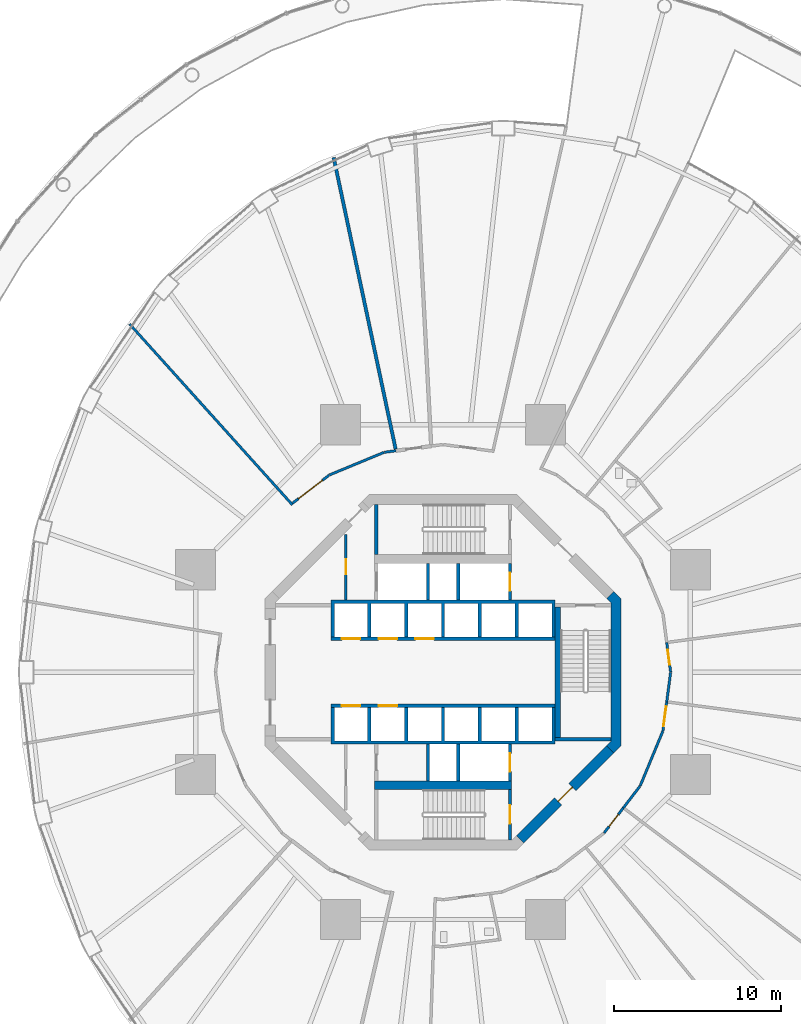
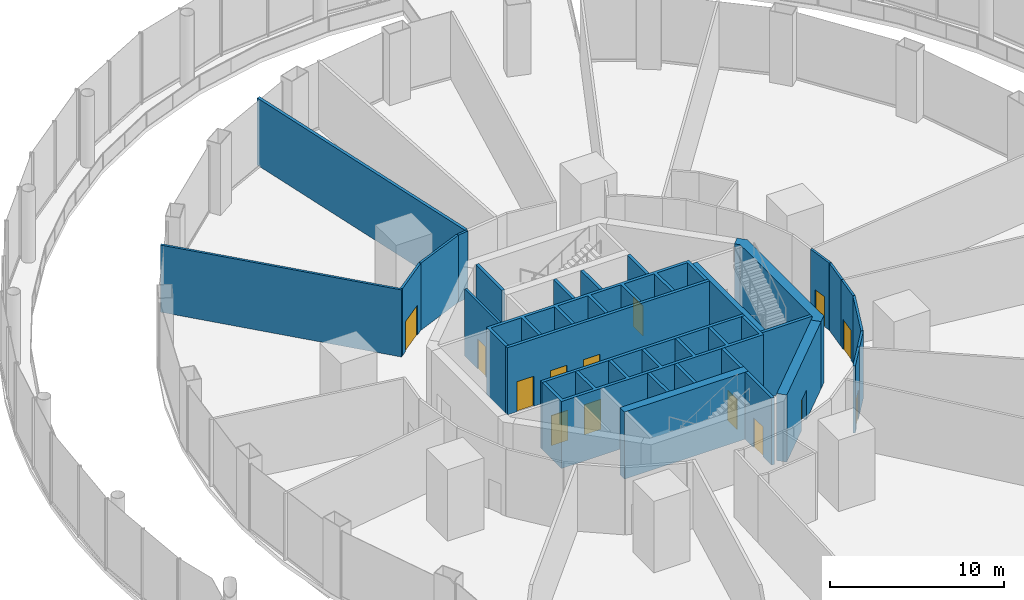
# One storey, part 43 of 47: 29 walls, 14 doors, 14 openings.
"""IFC4 building model written with IfcOpenShell, lengths in metres."""

import ifcopenshell
import ifcopenshell.guid

model = None  # the IFC model being written
_history = None  # IfcOwnerHistory: only IFC2X3 demands one
_inside = {}  # id of a spatial element -> (the spatial element, [elements in it])
_under = {}  # id of a project, library or spatial element -> (it, [spatial elements below it])
_declared = {}  # id of a project -> (the project, [libraries it declares])
_typed = {}  # id of a type object -> (the type object, [elements of that type])
_made_of = {}  # id of a material, layer set ... -> (it, [elements and type objects made of it])


def new_model(schema):
    """Start an empty IFC model of exactly this schema.

    Asked for "IFC4X3", IfcOpenShell would pick the latest addendum, in which some entities
    have other attributes; the version numbers below select the first issue.
    IFC2X3 requires an IfcOwnerHistory on every rooted entity: one is made here for all.
    """
    global model, _history
    if schema == "IFC4X3":
        model = ifcopenshell.file(schema_version=(4, 3, 0, 0))
    else:
        model = ifcopenshell.file(schema=schema)
    _inside.clear()
    _under.clear()
    _declared.clear()
    _typed.clear()
    _made_of.clear()
    _history = None
    if model.schema == "IFC2X3":
        org = make("IfcOrganization", Name="unknown")
        user = make(
            "IfcPersonAndOrganization",
            ThePerson=make("IfcPerson", FamilyName="unknown"),
            TheOrganization=org,
        )
        app = make(
            "IfcApplication",
            ApplicationDeveloper=org,
            Version="unknown",
            ApplicationFullName="unknown",
            ApplicationIdentifier="unknown",
        )
        _history = make(
            "IfcOwnerHistory",
            OwningUser=user,
            OwningApplication=app,
            ChangeAction="ADDED",
            CreationDate=0,
        )
    return model


def make(cls, **values):
    """One entity of the class cls with the attributes given. An attribute that is None is left unset."""
    return model.create_entity(
        cls, **{name: value for name, value in values.items() if value is not None}
    )


def rooted(cls, **values):
    """An entity with a GlobalId (a new one), such as an element, a storey or a relation."""
    return make(cls, GlobalId=ifcopenshell.guid.new(), OwnerHistory=_history, **values)


def si_unit(unit_type, name, prefix=None):
    """IfcSIUnit, for example si_unit("LENGTHUNIT", "METRE", prefix="MILLI")."""
    return make("IfcSIUnit", UnitType=unit_type, Prefix=prefix, Name=name)


def assignment(units):
    """IfcUnitAssignment: the units of a project."""
    return None if units is None else make("IfcUnitAssignment", Units=units)


def point(xyz):
    """IfcCartesianPoint."""
    return None if xyz is None else make("IfcCartesianPoint", Coordinates=xyz)


def direction(xyz):
    """IfcDirection."""
    return None if xyz is None else make("IfcDirection", DirectionRatios=xyz)


def frame(location, z_axis=None, x_axis=None):
    """IfcAxis2Placement3D, a coordinate frame: its origin and axes. An axis left out is left unset."""
    return make(
        "IfcAxis2Placement3D",
        Location=point(location),
        Axis=direction(z_axis),
        RefDirection=direction(x_axis),
    )


def frame_2d(location, x_axis=None):
    """IfcAxis2Placement2D, a coordinate frame in the plane: its origin and x axis."""
    return make(
        "IfcAxis2Placement2D", Location=point(location), RefDirection=direction(x_axis)
    )


def origin():
    """The frame at (0, 0, 0) with its axes left unset."""
    return frame((0.0, 0.0, 0.0))


def place(relative_to, where):
    """IfcLocalPlacement: puts the frame where relative to a parent placement (None: the world)."""
    return make(
        "IfcLocalPlacement", PlacementRelTo=relative_to, RelativePlacement=where
    )


def context(
    kind, dimensions, precision=None, world=None, true_north=None, identifier=None
):
    """IfcGeometricRepresentationContext, for example the 3D "Model" context."""
    return make(
        "IfcGeometricRepresentationContext",
        ContextIdentifier=identifier,
        ContextType=kind,
        CoordinateSpaceDimension=dimensions,
        Precision=precision,
        WorldCoordinateSystem=world,
        TrueNorth=true_north,
    )


def subcontext(parent, identifier, kind, view, scale=None):
    """IfcGeometricRepresentationSubContext, for example "Body" below "Model"."""
    return make(
        "IfcGeometricRepresentationSubContext",
        ContextIdentifier=identifier,
        ContextType=kind,
        ParentContext=parent,
        TargetScale=scale,
        TargetView=view,
    )


def project(units=None, contexts=None):
    """IfcProject with its units and contexts."""
    return rooted(
        "IfcProject",
        Name="project",
        RepresentationContexts=contexts,
        UnitsInContext=assignment(units),
    )


def spatial(cls, under=None, at=None, **own):
    """A site, building, storey or space (cls), placed at a placement, below another one or the project."""
    s = rooted(cls, ObjectPlacement=at, **own)
    if under is not None:
        _under.setdefault(under.id(), (under, []))[1].append(s)
    return s


def polyline(points):
    """IfcPolyline through the points."""
    return make("IfcPolyline", Points=[point(p) for p in points])


def profile(cls, at=None, kind="AREA", **sizes):
    """A parametric profile (cls). Its sizes go by their IFC names, for example OverallWidth=200.0."""
    return make(cls, ProfileType=kind, Position=at, **sizes)


def rectangle(**sizes):
    """IfcRectangleProfileDef."""
    return profile("IfcRectangleProfileDef", **sizes)


def outline(outer, holes=None, kind="AREA"):
    """IfcArbitraryClosedProfileDef: a profile drawn as a closed curve; with holes, ...WithVoids."""
    if holes is None:
        return make("IfcArbitraryClosedProfileDef", ProfileType=kind, OuterCurve=outer)
    return make(
        "IfcArbitraryProfileDefWithVoids",
        ProfileType=kind,
        OuterCurve=outer,
        InnerCurves=holes,
    )


def extrude(swept, where, along, depth):
    """IfcExtrudedAreaSolid: the profile swept, set in the frame where, extruded along a direction by depth."""
    return make(
        "IfcExtrudedAreaSolid",
        SweptArea=swept,
        Position=where,
        ExtrudedDirection=direction(along),
        Depth=depth,
    )


def shape(context_of_items, identifier, shape_type, items):
    """IfcShapeRepresentation: the items that make up one representation, for example the "Body"."""
    return make(
        "IfcShapeRepresentation",
        ContextOfItems=context_of_items,
        RepresentationIdentifier=identifier,
        RepresentationType=shape_type,
        Items=items,
    )


def material(Name=None, Category=None):
    """IfcMaterial."""
    return make("IfcMaterial", Name=Name, Category=Category)


def layer(
    of_material, thickness, ventilated=None, Name=None, Category=None, Priority=None
):
    """IfcMaterialLayer: one layer of a wall or slab, of a material (None: an air gap)."""
    return make(
        "IfcMaterialLayer",
        Material=of_material,
        LayerThickness=thickness,
        IsVentilated=ventilated,
        Name=Name,
        Category=Category,
        Priority=Priority,
    )


def layer_set(layers, Name=None):
    """IfcMaterialLayerSet."""
    return make("IfcMaterialLayerSet", MaterialLayers=layers, LayerSetName=Name)


def made_of(thing, what):
    """Note that an element or type object is made of a material, layer set ...; save() writes the relation."""
    if what is not None:
        _made_of.setdefault(what.id(), (what, []))[1].append(thing)
    return thing


def type_object(cls, material=None, **own):
    """A type object (cls), such as IfcWallType, which elements share."""
    return made_of(rooted(cls, **own), material)


def element(
    cls,
    number,
    at=None,
    inside=None,
    cuts=None,
    type_object=None,
    material=None,
    context=None,
    identifier="Body",
    shape_type=None,
    held_by="IfcProductDefinitionShape",
    body=None,
    shapes=None,
    **own,
):
    """One element of the class cls, such as IfcWall. Its Tag is "e" and its number.

    at: its placement. inside: the storey or other place that contains it. cuts: it is an
    opening in that element (IfcRelVoidsElement). A single representation is given by context,
    identifier, shape_type and body (its items); several are given by shapes. held_by: the class
    of the entity that holds the representations. save() writes the other relations.
    """
    e = rooted(cls, Tag="e%d" % number, ObjectPlacement=at, **own)
    if body is not None:
        shapes = [shape(context, identifier, shape_type, body)]
    if shapes is not None:
        e.Representation = make(held_by, Representations=shapes)
    if inside is not None:
        _inside.setdefault(inside.id(), (inside, []))[1].append(e)
    if cuts is not None:
        rooted(
            "IfcRelVoidsElement", RelatingBuildingElement=cuts, RelatedOpeningElement=e
        )
    if type_object is not None:
        _typed.setdefault(type_object.id(), (type_object, []))[1].append(e)
    return made_of(e, material)


def fill(opening, filler):
    """IfcRelFillsElement: the door or window that sits in an opening."""
    return rooted(
        "IfcRelFillsElement",
        RelatingOpeningElement=opening,
        RelatedBuildingElement=filler,
    )


def aggregate(whole, parts):
    """IfcRelAggregates: a whole, such as a stair, and the parts it consists of."""
    return rooted("IfcRelAggregates", RelatingObject=whole, RelatedObjects=parts)


def save(model, path):
    """Write the relations noted so far, then the file.

    IfcRelAggregates (storeys below a building ...), IfcRelContainedInSpatialStructure (elements
    in a storey), IfcRelDefinesByType, IfcRelAssociatesMaterial and IfcRelDeclares: one each for
    every whole, place, type object, material and project.
    """
    for whole, parts in _under.values():
        aggregate(whole, parts)
    for where, things in _inside.values():
        rooted(
            "IfcRelContainedInSpatialStructure",
            RelatedElements=things,
            RelatingStructure=where,
        )
    for kind, things in _typed.values():
        rooted("IfcRelDefinesByType", RelatedObjects=things, RelatingType=kind)
    for what, things in _made_of.values():
        rooted("IfcRelAssociatesMaterial", RelatedObjects=things, RelatingMaterial=what)
    for by, libraries in _declared.values():
        rooted("IfcRelDeclares", RelatingContext=by, RelatedDefinitions=libraries)
    model.write(path)


model = new_model("IFC4")

# Units and contexts
model_context = context("Model", 3, precision=1e-05, world=origin(), true_north=direction((0.0, 1.0)))
body_context = subcontext(model_context, "Body", "Model", "MODEL_VIEW")
ifc_project = project(units=[si_unit("LENGTHUNIT", "METRE"), si_unit("AREAUNIT", "SQUARE_METRE"), si_unit("VOLUMEUNIT", "CUBIC_METRE"), si_unit("PLANEANGLEUNIT", "RADIAN"), si_unit("MASSUNIT", "GRAM", prefix="KILO")], contexts=[model_context])

# Site, building, storey
site_placement = place(None, origin())
site = spatial("IfcSite", under=ifc_project, at=site_placement, CompositionType="ELEMENT")
building_placement = place(site_placement, origin())
building = spatial("IfcBuilding", under=site, at=building_placement, Name="Nagisa Residences", CompositionType="ELEMENT")
storey_placement = place(building_placement, frame((0.0, 0.0, 17.0)))
storey = spatial("IfcBuildingStorey", under=building, at=storey_placement, Name="L03", CompositionType="ELEMENT", Elevation=17.0)

# Wall, opening, door
ifc_material_1 = material(Name="Gypsum board on steel studs", Category="steel")
ifc_layer_1 = layer(ifc_material_1, 0.14990234375)
ifc_layer_set_1 = layer_set([ifc_layer_1], Name="Core partition 150")
wall_type_1 = type_object("IfcWallType", Name="Core partition 150", PredefinedType="PARTITIONING", material=ifc_layer_set_1)
wall_1_placement = place(storey_placement, frame((-5.800048828125, 4.300048828125, 0.0), z_axis=(0.0, 0.0, 1.0), x_axis=(0.0, 1.0, 0.0)))
wall_1 = element("IfcWall", 1, at=wall_1_placement, inside=storey, type_object=wall_type_1, Name="wall:L03:NWp", PredefinedType="PARTITIONING", context=body_context, shape_type="SweptSolid", body=[
    extrude(rectangle(XDim=3.927001953125, YDim=0.14990234375, at=frame_2d((1.96337890625, 0.0))), origin(), (0.0, 0.0, 1.0), 4.699951171875),
])
opening_1_placement = place(wall_1_placement, frame((1.551025390625, 0.0, 0.0)))
opening_1 = element("IfcOpeningElement", 2, at=opening_1_placement, cuts=wall_1, Name="Opening L03-C12", PredefinedType="OPENING", context=body_context, shape_type="SweptSolid", body=[
    extrude(rectangle(XDim=0.89990234375, YDim=2.10009765625, at=frame_2d((0.449951171875, 1.050048828125))), frame((0.0, 0.0849609375, 0.0), z_axis=(0.0, -1.0, 0.0), x_axis=(1.0, 0.0, 0.0)), (0.0, 0.0, 1.0), 0.169921875),
])
ifc_material_2 = material(Name="Steel fire door", Category="steel")
door_type_1 = type_object("IfcDoorType", Name="Fire door EI30 900x2100 single swing", OperationType="NOTDEFINED", PredefinedType="DOOR", material=ifc_material_2)
door_1_placement = place(opening_1_placement, origin())
door_1 = element("IfcDoor", 3, at=door_1_placement, inside=storey, type_object=door_type_1, Name="Electrical room door L03", OperationType="SINGLE_SWING_RIGHT", OverallHeight=2.10009765625, OverallWidth=0.89990234375, PredefinedType="DOOR", context=body_context, shape_type="SweptSolid", body=[
    extrude(rectangle(XDim=0.89990234375, YDim=2.10009765625, at=frame_2d((0.449951171875, 1.050048828125))), frame((0.0, 0.02490234375, 0.0), z_axis=(0.0, -1.0, 0.0), x_axis=(1.0, 0.0, 0.0)), (0.0, 0.0, 1.0), 0.050048828125),
])
fill(opening_1, door_1)

ifc_material_3 = material(Name="Concrete C60", Category="concrete")
ifc_layer_2 = layer(ifc_material_3, 0.60009765625)
ifc_layer_set_2 = layer_set([ifc_layer_2], Name="Core shear wall 600")
wall_type_2 = type_object("IfcWallType", Name="Core shear wall 600", PredefinedType="SHEAR", material=ifc_layer_set_2)
wall_2_placement = place(storey_placement, frame((4.613037109375, -9.98828125, 0.0), z_axis=(0.0, 0.0, 1.0), x_axis=(0.707106781187, 0.707106781187, 0.0)))
wall_2 = element("IfcWall", 4, at=wall_2_placement, inside=storey, type_object=wall_type_2, Name="wall:L03:core:flat7", PredefinedType="SHEAR", context=body_context, shape_type="SweptSolid", body=[
    extrude(rectangle(XDim=7.601806640625, YDim=0.60009765625, at=frame_2d((3.80078125, 0.0))), origin(), (0.0, 0.0, 1.0), 4.699951171875),
])
opening_2_placement = place(wall_2_placement, frame((3.200927734375, 0.0, 0.0)))
opening_2 = element("IfcOpeningElement", 5, at=opening_2_placement, cuts=wall_2, Name="Opening L03-C16", PredefinedType="OPENING", context=body_context, shape_type="SweptSolid", body=[
    extrude(rectangle(XDim=1.199951171875, YDim=2.10009765625, at=frame_2d((0.60009765625, 1.050048828125))), frame((0.0, 0.31005859375, 0.0), z_axis=(0.0, -1.0, 0.0), x_axis=(1.0, 0.0, 0.0)), (0.0, 0.0, 1.0), 0.6201171875),
])
ifc_material_4 = material(Name="Steel fire door", Category="steel")
door_type_2 = type_object("IfcDoorType", Name="Fire door EI60 1200x2100 single swing", OperationType="NOTDEFINED", PredefinedType="DOOR", material=ifc_material_4)
door_2_placement = place(opening_2_placement, origin())
door_2 = element("IfcDoor", 6, at=door_2_placement, inside=storey, type_object=door_type_2, Name="Firefighting lobby 2 door L03", OperationType="SINGLE_SWING_RIGHT", OverallHeight=2.10009765625, OverallWidth=1.199951171875, PredefinedType="DOOR", context=body_context, shape_type="SweptSolid", body=[
    extrude(rectangle(XDim=1.199951171875, YDim=2.10009765625, at=frame_2d((0.60009765625, 1.050048828125))), frame((0.0, 0.02490234375, 0.0), z_axis=(0.0, -1.0, 0.0), x_axis=(1.0, 0.0, 0.0)), (0.0, 0.0, 1.0), 0.050048828125),
])
fill(opening_2, door_2)

# Wall
wall_3_placement = place(storey_placement, origin())
element("IfcWall", 7, at=wall_3_placement, inside=storey, type_object=wall_type_2, Name="wall:L03:core:flat0", PredefinedType="SHEAR", context=body_context, shape_type="SweptSolid", body=[
    extrude(outline(polyline([(9.776123046875, -4.40087890625), (10.024658203125, -4.15234375), (10.024658203125, -3.801025390625), (10.024658203125, 4.15234375), (9.776123046875, 4.40087890625), (10.200439453125, 4.8251953125), (10.62451171875, 4.40087890625), (10.62451171875, -4.40087890625), (10.200439453125, -4.8251953125), (9.776123046875, -4.40087890625)])), origin(), (0.0, 0.0, 1.0), 4.699951171875),
])

# Wall, opening, door
ifc_material_5 = material(Name="Concrete C60", Category="concrete")
ifc_layer_3 = layer(ifc_material_5, 0.199951171875)
ifc_layer_set_3 = layer_set([ifc_layer_3], Name="Lift shaft wall 200")
wall_type_3 = type_object("IfcWallType", Name="Lift shaft wall 200", PredefinedType="SOLIDWALL", material=ifc_layer_set_3)
wall_4_placement = place(storey_placement, frame((4.0, 4.300048828125, 0.0), z_axis=(0.0, 0.0, 1.0), x_axis=(0.0, 1.0, 0.0)))
wall_4 = element("IfcWall", 8, at=wall_4_placement, inside=storey, type_object=wall_type_3, Name="wall:L03:Nb3", PredefinedType="SOLIDWALL", context=body_context, shape_type="SweptSolid", body=[
    extrude(rectangle(XDim=2.199951171875, YDim=0.199951171875, at=frame_2d((1.10009765625, 0.0))), origin(), (0.0, 0.0, 1.0), 4.699951171875),
])
opening_3_placement = place(wall_4_placement, frame((0.550048828125, 0.0, 0.0)))
opening_3 = element("IfcOpeningElement", 9, at=opening_3_placement, cuts=wall_4, Name="Opening L03-C06", PredefinedType="OPENING", context=body_context, shape_type="SweptSolid", body=[
    extrude(rectangle(XDim=1.10009765625, YDim=2.10009765625, at=frame_2d((0.550048828125, 1.050048828125))), frame((0.0, 0.10986328125, 0.0), z_axis=(0.0, -1.0, 0.0), x_axis=(1.0, 0.0, 0.0)), (0.0, 0.0, 1.0), 0.219970703125),
])
ifc_material_6 = material(Name="Stainless steel", Category="steel")
door_type_3 = type_object("IfcDoorType", Name="Lift landing door 1100x2100", OperationType="DOUBLE_DOOR_SLIDING", PredefinedType="DOOR", material=ifc_material_6)
door_3_placement = place(opening_3_placement, origin())
door_3 = element("IfcDoor", 10, at=door_3_placement, inside=storey, type_object=door_type_3, Name="Landing door FL1 L03", OperationType="DOUBLE_DOOR_SLIDING", OverallHeight=2.10009765625, OverallWidth=1.10009765625, PredefinedType="DOOR", context=body_context, shape_type="SweptSolid", body=[
    extrude(rectangle(XDim=1.10009765625, YDim=2.10009765625, at=frame_2d((0.550048828125, 1.050048828125))), frame((0.0, 0.02490234375, 0.0), z_axis=(0.0, -1.0, 0.0), x_axis=(1.0, 0.0, 0.0)), (0.0, 0.0, 1.0), 0.050048828125),
])
fill(opening_3, door_3)

# Wall, openings, doors
wall_5_placement = place(storey_placement, frame((-6.699951171875, 2.0, 0.0), z_axis=(0.0, 0.0, 1.0), x_axis=(1.0, 0.0, 0.0)))
wall_5 = element("IfcWall", 11, at=wall_5_placement, inside=storey, type_object=wall_type_3, Name="wall:L03:Nfront", PredefinedType="SOLIDWALL", context=body_context, shape_type="SweptSolid", body=[
    extrude(rectangle(XDim=13.39990234375, YDim=0.199951171875, at=frame_2d((6.699951171875, 0.0))), origin(), (0.0, 0.0, 1.0), 4.699951171875),
])
opening_4_placement = place(wall_5_placement, frame((0.64990234375, 0.0, 0.0)))
opening_4 = element("IfcOpeningElement", 12, at=opening_4_placement, cuts=wall_5, Name="Opening L03-C01", PredefinedType="OPENING", context=body_context, shape_type="SweptSolid", body=[
    extrude(rectangle(XDim=1.10009765625, YDim=2.10009765625, at=frame_2d((0.550048828125, 1.050048828125))), frame((0.0, 0.10986328125, 0.0), z_axis=(0.0, -1.0, 0.0), x_axis=(1.0, 0.0, 0.0)), (0.0, 0.0, 1.0), 0.219970703125),
])
opening_5_placement = place(wall_5_placement, frame((2.85009765625, 0.0, 0.0)))
opening_5 = element("IfcOpeningElement", 13, at=opening_5_placement, cuts=wall_5, Name="Opening L03-C02", PredefinedType="OPENING", context=body_context, shape_type="SweptSolid", body=[
    extrude(rectangle(XDim=1.10009765625, YDim=2.10009765625, at=frame_2d((0.550048828125, 1.050048828125))), frame((0.0, 0.10986328125, 0.0), z_axis=(0.0, -1.0, 0.0), x_axis=(1.0, 0.0, 0.0)), (0.0, 0.0, 1.0), 0.219970703125),
])
opening_6_placement = place(wall_5_placement, frame((5.050048828125, 0.0, 0.0)))
opening_6 = element("IfcOpeningElement", 14, at=opening_6_placement, cuts=wall_5, Name="Opening L03-C03", PredefinedType="OPENING", context=body_context, shape_type="SweptSolid", body=[
    extrude(rectangle(XDim=1.10009765625, YDim=2.10009765625, at=frame_2d((0.550048828125, 1.050048828125))), frame((0.0, 0.10986328125, 0.0), z_axis=(0.0, -1.0, 0.0), x_axis=(1.0, 0.0, 0.0)), (0.0, 0.0, 1.0), 0.219970703125),
])
door_4_placement = place(opening_4_placement, origin())
door_4 = element("IfcDoor", 15, at=door_4_placement, inside=storey, type_object=door_type_3, Name="Landing door A1 L03", OperationType="DOUBLE_DOOR_SLIDING", OverallHeight=2.10009765625, OverallWidth=1.10009765625, PredefinedType="DOOR", context=body_context, shape_type="SweptSolid", body=[
    extrude(rectangle(XDim=1.10009765625, YDim=2.10009765625, at=frame_2d((0.550048828125, 1.050048828125))), frame((0.0, 0.02490234375, 0.0), z_axis=(0.0, -1.0, 0.0), x_axis=(1.0, 0.0, 0.0)), (0.0, 0.0, 1.0), 0.050048828125),
])
fill(opening_4, door_4)
door_5_placement = place(opening_5_placement, origin())
door_5 = element("IfcDoor", 16, at=door_5_placement, inside=storey, type_object=door_type_3, Name="Landing door A2 L03", OperationType="DOUBLE_DOOR_SLIDING", OverallHeight=2.10009765625, OverallWidth=1.10009765625, PredefinedType="DOOR", context=body_context, shape_type="SweptSolid", body=[
    extrude(rectangle(XDim=1.10009765625, YDim=2.10009765625, at=frame_2d((0.550048828125, 1.050048828125))), frame((0.0, 0.02490234375, 0.0), z_axis=(0.0, -1.0, 0.0), x_axis=(1.0, 0.0, 0.0)), (0.0, 0.0, 1.0), 0.050048828125),
])
fill(opening_5, door_5)
door_6_placement = place(opening_6_placement, origin())
door_6 = element("IfcDoor", 17, at=door_6_placement, inside=storey, type_object=door_type_3, Name="Landing door A3 L03", OperationType="DOUBLE_DOOR_SLIDING", OverallHeight=2.10009765625, OverallWidth=1.10009765625, PredefinedType="DOOR", context=body_context, shape_type="SweptSolid", body=[
    extrude(rectangle(XDim=1.10009765625, YDim=2.10009765625, at=frame_2d((0.550048828125, 1.050048828125))), frame((0.0, 0.02490234375, 0.0), z_axis=(0.0, -1.0, 0.0), x_axis=(1.0, 0.0, 0.0)), (0.0, 0.0, 1.0), 0.050048828125),
])
fill(opening_6, door_6)

# Wall, opening, door
wall_6_placement = place(storey_placement, frame((4.0, -6.5, 0.0), z_axis=(0.0, 0.0, 1.0), x_axis=(0.0, 1.0, 0.0)))
wall_6 = element("IfcWall", 18, at=wall_6_placement, inside=storey, type_object=wall_type_3, Name="wall:L03:Sb3", PredefinedType="SOLIDWALL", context=body_context, shape_type="SweptSolid", body=[
    extrude(rectangle(XDim=2.199951171875, YDim=0.199951171875, at=frame_2d((1.10009765625, 0.0))), origin(), (0.0, 0.0, 1.0), 4.699951171875),
])
opening_7_placement = place(wall_6_placement, frame((0.550048828125, 0.0, 0.0)))
opening_7 = element("IfcOpeningElement", 19, at=opening_7_placement, cuts=wall_6, Name="Opening L03-C07", PredefinedType="OPENING", context=body_context, shape_type="SweptSolid", body=[
    extrude(rectangle(XDim=1.10009765625, YDim=2.10009765625, at=frame_2d((0.550048828125, 1.050048828125))), frame((0.0, 0.10986328125, 0.0), z_axis=(0.0, -1.0, 0.0), x_axis=(1.0, 0.0, 0.0)), (0.0, 0.0, 1.0), 0.219970703125),
])
door_7_placement = place(opening_7_placement, origin())
door_7 = element("IfcDoor", 20, at=door_7_placement, inside=storey, type_object=door_type_3, Name="Landing door FL2 L03", OperationType="DOUBLE_DOOR_SLIDING", OverallHeight=2.10009765625, OverallWidth=1.10009765625, PredefinedType="DOOR", context=body_context, shape_type="SweptSolid", body=[
    extrude(rectangle(XDim=1.10009765625, YDim=2.10009765625, at=frame_2d((0.550048828125, 1.050048828125))), frame((0.0, 0.02490234375, 0.0), z_axis=(0.0, -1.0, 0.0), x_axis=(1.0, 0.0, 0.0)), (0.0, 0.0, 1.0), 0.050048828125),
])
fill(opening_7, door_7)

# Wall, openings, doors
wall_7_placement = place(storey_placement, frame((-6.699951171875, -2.0, 0.0), z_axis=(0.0, 0.0, 1.0), x_axis=(1.0, 0.0, 0.0)))
wall_7 = element("IfcWall", 21, at=wall_7_placement, inside=storey, type_object=wall_type_3, Name="wall:L03:Sfront", PredefinedType="SOLIDWALL", context=body_context, shape_type="SweptSolid", body=[
    extrude(rectangle(XDim=13.39990234375, YDim=0.199951171875, at=frame_2d((6.699951171875, 0.0))), origin(), (0.0, 0.0, 1.0), 4.699951171875),
])
opening_8_placement = place(wall_7_placement, frame((0.64990234375, 0.0, 0.0)))
opening_8 = element("IfcOpeningElement", 22, at=opening_8_placement, cuts=wall_7, Name="Opening L03-C04", PredefinedType="OPENING", context=body_context, shape_type="SweptSolid", body=[
    extrude(rectangle(XDim=1.10009765625, YDim=2.10009765625, at=frame_2d((0.550048828125, 1.050048828125))), frame((0.0, 0.10986328125, 0.0), z_axis=(0.0, -1.0, 0.0), x_axis=(1.0, 0.0, 0.0)), (0.0, 0.0, 1.0), 0.219970703125),
])
opening_9_placement = place(wall_7_placement, frame((2.85009765625, 0.0, 0.0)))
opening_9 = element("IfcOpeningElement", 23, at=opening_9_placement, cuts=wall_7, Name="Opening L03-C05", PredefinedType="OPENING", context=body_context, shape_type="SweptSolid", body=[
    extrude(rectangle(XDim=1.10009765625, YDim=2.10009765625, at=frame_2d((0.550048828125, 1.050048828125))), frame((0.0, 0.10986328125, 0.0), z_axis=(0.0, -1.0, 0.0), x_axis=(1.0, 0.0, 0.0)), (0.0, 0.0, 1.0), 0.219970703125),
])
door_8_placement = place(opening_8_placement, origin())
door_8 = element("IfcDoor", 24, at=door_8_placement, inside=storey, type_object=door_type_3, Name="Landing door A4 L03", OperationType="DOUBLE_DOOR_SLIDING", OverallHeight=2.10009765625, OverallWidth=1.10009765625, PredefinedType="DOOR", context=body_context, shape_type="SweptSolid", body=[
    extrude(rectangle(XDim=1.10009765625, YDim=2.10009765625, at=frame_2d((0.550048828125, 1.050048828125))), frame((0.0, 0.02490234375, 0.0), z_axis=(0.0, -1.0, 0.0), x_axis=(1.0, 0.0, 0.0)), (0.0, 0.0, 1.0), 0.050048828125),
])
fill(opening_8, door_8)
door_9_placement = place(opening_9_placement, origin())
door_9 = element("IfcDoor", 25, at=door_9_placement, inside=storey, type_object=door_type_3, Name="Landing door A5 L03", OperationType="DOUBLE_DOOR_SLIDING", OverallHeight=2.10009765625, OverallWidth=1.10009765625, PredefinedType="DOOR", context=body_context, shape_type="SweptSolid", body=[
    extrude(rectangle(XDim=1.10009765625, YDim=2.10009765625, at=frame_2d((0.550048828125, 1.050048828125))), frame((0.0, 0.02490234375, 0.0), z_axis=(0.0, -1.0, 0.0), x_axis=(1.0, 0.0, 0.0)), (0.0, 0.0, 1.0), 0.050048828125),
])
fill(opening_9, door_9)

# Walls
for number, where, z_axis, x_axis, name in (
    (26, (-0.89990234375, -6.5, 0.0), (0.0, 0.0, 1.0), (0.0, 1.0, 0.0), "wall:L03:Sb1"),
    (27, (0.89990234375, -6.5, 0.0), (0.0, 0.0, 1.0), (0.0, 1.0, 0.0), "wall:L03:Sb2"),
):
    element("IfcWall", number, at=place(storey_placement, frame(where, z_axis=z_axis, x_axis=x_axis)), inside=storey, type_object=wall_type_3, Name=name, PredefinedType="SOLIDWALL", context=body_context, shape_type="SweptSolid", body=[
        extrude(rectangle(XDim=2.199951171875, YDim=0.199951171875, at=frame_2d((1.10009765625, 0.0))), origin(), (0.0, 0.0, 1.0), 4.699951171875),
    ])
wall_8_placement = place(storey_placement, origin())
element("IfcWall", 28, at=wall_8_placement, inside=storey, type_object=wall_type_3, Name="wall:L03:Sback", PredefinedType="SOLIDWALL", context=body_context, shape_type="SweptSolid", body=[
    extrude(outline(polyline([(-6.699951171875, -2.10009765625), (-6.5, -2.10009765625), (-6.5, -4.10009765625), (-4.5, -4.10009765625), (-4.5, -2.10009765625), (-4.300048828125, -2.10009765625), (-4.300048828125, -4.10009765625), (-2.300048828125, -4.10009765625), (-2.300048828125, -2.10009765625), (-2.10009765625, -2.10009765625), (-2.10009765625, -4.10009765625), (-0.10009765625, -4.10009765625), (-0.10009765625, -2.10009765625), (0.10009765625, -2.10009765625), (0.10009765625, -4.10009765625), (2.10009765625, -4.10009765625), (2.10009765625, -2.10009765625), (2.300048828125, -2.10009765625), (2.300048828125, -4.10009765625), (4.300048828125, -4.10009765625), (4.300048828125, -2.10009765625), (4.5, -2.10009765625), (4.5, -4.10009765625), (6.5, -4.10009765625), (6.5, -2.10009765625), (6.699951171875, -2.10009765625), (6.699951171875, -4.300048828125), (-6.699951171875, -4.300048828125), (-6.699951171875, -2.10009765625)])), origin(), (0.0, 0.0, 1.0), 4.699951171875),
])
for number, where, z_axis, x_axis, name in (
    (29, (-0.89990234375, 4.300048828125, 0.0), (0.0, 0.0, 1.0), (0.0, 1.0, 0.0), "wall:L03:Nb1"),
    (30, (0.89990234375, 4.300048828125, 0.0), (0.0, 0.0, 1.0), (0.0, 1.0, 0.0), "wall:L03:Nb2"),
):
    element("IfcWall", number, at=place(storey_placement, frame(where, z_axis=z_axis, x_axis=x_axis)), inside=storey, type_object=wall_type_3, Name=name, PredefinedType="SOLIDWALL", context=body_context, shape_type="SweptSolid", body=[
        extrude(rectangle(XDim=2.199951171875, YDim=0.199951171875, at=frame_2d((1.10009765625, 0.0))), origin(), (0.0, 0.0, 1.0), 4.699951171875),
    ])
wall_9_placement = place(storey_placement, origin())
element("IfcWall", 31, at=wall_9_placement, inside=storey, type_object=wall_type_3, Name="wall:L03:Nback", PredefinedType="SOLIDWALL", context=body_context, shape_type="SweptSolid", body=[
    extrude(outline(polyline([(-6.5, 2.10009765625), (-6.699951171875, 2.10009765625), (-6.699951171875, 4.300048828125), (6.699951171875, 4.300048828125), (6.699951171875, 2.10009765625), (6.5, 2.10009765625), (6.5, 4.10009765625), (4.5, 4.10009765625), (4.5, 2.10009765625), (4.300048828125, 2.10009765625), (4.300048828125, 4.10009765625), (2.300048828125, 4.10009765625), (2.300048828125, 2.10009765625), (2.10009765625, 2.10009765625), (2.10009765625, 4.10009765625), (0.10009765625, 4.10009765625), (0.10009765625, 2.10009765625), (-0.10009765625, 2.10009765625), (-0.10009765625, 4.10009765625), (-2.10009765625, 4.10009765625), (-2.10009765625, 2.10009765625), (-2.300048828125, 2.10009765625), (-2.300048828125, 4.10009765625), (-4.300048828125, 4.10009765625), (-4.300048828125, 2.10009765625), (-4.5, 2.10009765625), (-4.5, 4.10009765625), (-6.5, 4.10009765625), (-6.5, 2.10009765625)])), origin(), (0.0, 0.0, 1.0), 4.699951171875),
])
ifc_material_7 = material(Name="Gypsum board on steel studs", Category="steel")
ifc_layer_4 = layer(ifc_material_7, 0.199951171875)
ifc_layer_set_4 = layer_set([ifc_layer_4], Name="Plant room wall EI120 200")
wall_type_4 = type_object("IfcWallType", Name="Plant room wall EI120 200", PredefinedType="PARTITIONING", material=ifc_layer_set_4)
wall_10_placement = place(storey_placement, frame((-6.53662109375, 30.752197265625, 0.0), z_axis=(0.0, 0.0, 1.0), x_axis=(0.207909569071, -0.978148051722, 0.0)))
element("IfcWall", 32, at=wall_10_placement, inside=storey, type_object=wall_type_4, Name="wall:L03:am052", PredefinedType="PARTITIONING", context=body_context, shape_type="SweptSolid", body=[
    extrude(rectangle(XDim=17.8134765625, YDim=0.199951171875, at=frame_2d((8.90673828125, 0.0))), origin(), (0.0, 0.0, 1.0), 4.699951171875),
])
ifc_material_8 = material(Name="Gypsum board on steel studs", Category="steel")
ifc_layer_5 = layer(ifc_material_8, 0.14990234375)
ifc_layer_set_5 = layer_set([ifc_layer_5], Name="Room partition EI60 150")
wall_type_5 = type_object("IfcWallType", Name="Room partition EI60 150", PredefinedType="PARTITIONING", material=ifc_layer_set_5)
wall_11_placement = place(storey_placement, frame((-18.73095703125, 20.802734375, 0.0), z_axis=(0.0, 0.0, 1.0), x_axis=(0.669128883479, -0.743146376762, 0.0)))
element("IfcWall", 33, at=wall_11_placement, inside=storey, type_object=wall_type_5, Name="wall:L03:am000", PredefinedType="PARTITIONING", context=body_context, shape_type="SweptSolid", body=[
    extrude(rectangle(XDim=14.542724609375, YDim=0.14990234375, at=frame_2d((7.271484375, 0.0))), origin(), (0.0, 0.0, 1.0), 4.699951171875),
])

# Wall, opening, door
wall_12_placement = place(storey_placement, frame((-8.99072265625, 10.09716796875, 0.0), z_axis=(0.0, 0.0, 1.0), x_axis=(0.793399081384, 0.608701813418, 0.0)))
wall_12 = element("IfcWall", 34, at=wall_12_placement, inside=storey, type_object=wall_type_5, Name="wall:L03:am009", PredefinedType="PARTITIONING", context=body_context, shape_type="SweptSolid", body=[
    extrude(rectangle(XDim=2.74951171875, YDim=0.14990234375, at=frame_2d((1.374755859375, 0.0))), origin(), (0.0, 0.0, 1.0), 4.699951171875),
])
opening_10_placement = place(wall_12_placement, frame((0.443115234375, 0.0, 0.0)))
opening_10 = element("IfcOpeningElement", 35, at=opening_10_placement, cuts=wall_12, Name="Opening L03-A06", PredefinedType="OPENING", context=body_context, shape_type="SweptSolid", body=[
    extrude(rectangle(XDim=1.800048828125, YDim=2.10009765625, at=frame_2d((0.89990234375, 1.050048828125))), frame((0.0, 0.0849609375, 0.0), z_axis=(0.0, -1.0, 0.0), x_axis=(1.0, 0.0, 0.0)), (0.0, 0.0, 1.0), 0.169921875),
])
ifc_material_9 = material(Name="Steel fire door", Category="steel")
door_type_4 = type_object("IfcDoorType", Name="Fire door EI30 1800x2100 double door single swing", OperationType="DOUBLE_DOOR_SINGLE_SWING", PredefinedType="DOOR", material=ifc_material_9)
door_10_placement = place(opening_10_placement, origin())
door_10 = element("IfcDoor", 36, at=door_10_placement, inside=storey, type_object=door_type_4, Name="Cinema door", OperationType="DOUBLE_DOOR_SINGLE_SWING", OverallHeight=2.10009765625, OverallWidth=1.800048828125, PredefinedType="DOOR", context=body_context, shape_type="SweptSolid", body=[
    extrude(rectangle(XDim=1.800048828125, YDim=2.10009765625, at=frame_2d((0.89990234375, 1.050048828125))), frame((0.0, 0.02490234375, 0.0), z_axis=(0.0, -1.0, 0.0), x_axis=(1.0, 0.0, 0.0)), (0.0, 0.0, 1.0), 0.050048828125),
])
fill(opening_10, door_10)

# Walls
wall_13_placement = place(storey_placement, frame((-6.7890625, 11.782470703125, 0.0), z_axis=(0.0, 0.0, 1.0), x_axis=(0.923881838111, 0.382677866108, 0.0)))
element("IfcWall", 37, at=wall_13_placement, inside=storey, type_object=wall_type_5, Name="wall:L03:am010", PredefinedType="PARTITIONING", context=body_context, shape_type="SweptSolid", body=[
    extrude(rectangle(XDim=3.52685546875, YDim=0.14990234375, at=frame_2d((1.763427734375, 0.0))), origin(), (0.0, 0.0, 1.0), 4.699951171875),
])
wall_14_placement = place(storey_placement, frame((-3.508056640625, 13.13818359375, 0.0), z_axis=(0.0, 0.0, 1.0), x_axis=(0.991460212813, 0.130409533429, 0.0)))
element("IfcWall", 38, at=wall_14_placement, inside=storey, type_object=wall_type_5, Name="wall:L03:am011", PredefinedType="PARTITIONING", context=body_context, shape_type="SweptSolid", body=[
    extrude(rectangle(XDim=0.7021484375, YDim=0.14990234375, at=frame_2d((0.35107421875, 0.0))), origin(), (0.0, 0.0, 1.0), 4.699951171875),
])

# Wall, opening, door
wall_15_placement = place(storey_placement, frame((10.773681640625, -8.10888671875, 0.0), z_axis=(0.0, 0.0, 1.0), x_axis=(-0.608754453805, -0.793358692504, 0.0)))
wall_15 = element("IfcWall", 39, at=wall_15_placement, inside=storey, type_object=wall_type_5, Name="wall:L03:am034", PredefinedType="PARTITIONING", context=body_context, shape_type="SweptSolid", body=[
    extrude(rectangle(XDim=1.888427734375, YDim=0.14990234375, at=frame_2d((0.9443359375, 0.0))), origin(), (0.0, 0.0, 1.0), 4.699951171875),
])
opening_11_placement = place(wall_15_placement, frame((0.500244140625, 0.0, 0.0)))
opening_11 = element("IfcOpeningElement", 40, at=opening_11_placement, cuts=wall_15, Name="Opening L03-A12", PredefinedType="OPENING", context=body_context, shape_type="SweptSolid", body=[
    extrude(rectangle(XDim=0.89990234375, YDim=2.10009765625, at=frame_2d((0.449951171875, 1.050048828125))), frame((0.0, 0.0849609375, 0.0), z_axis=(0.0, -1.0, 0.0), x_axis=(1.0, 0.0, 0.0)), (0.0, 0.0, 1.0), 0.169921875),
])
door_11_placement = place(opening_11_placement, origin())
door_11 = element("IfcDoor", 41, at=door_11_placement, inside=storey, type_object=door_type_1, Name="Business suite door", OperationType="SINGLE_SWING_RIGHT", OverallHeight=2.10009765625, OverallWidth=0.89990234375, PredefinedType="DOOR", context=body_context, shape_type="SweptSolid", body=[
    extrude(rectangle(XDim=0.89990234375, YDim=2.10009765625, at=frame_2d((0.449951171875, 1.050048828125))), frame((0.0, 0.02490234375, 0.0), z_axis=(0.0, -1.0, 0.0), x_axis=(1.0, 0.0, 0.0)), (0.0, 0.0, 1.0), 0.050048828125),
])
fill(opening_11, door_11)

# Walls
wall_16_placement = place(storey_placement, frame((11.770751953125, -6.809326171875, 0.0), z_axis=(0.0, 0.0, 1.0), x_axis=(-0.608716251771, -0.793388003961, 0.0)))
element("IfcWall", 42, at=wall_16_placement, inside=storey, type_object=wall_type_5, Name="wall:L03:am038", PredefinedType="PARTITIONING", context=body_context, shape_type="SweptSolid", body=[
    extrude(rectangle(XDim=1.637939453125, YDim=0.14990234375, at=frame_2d((0.81884765625, 0.0))), origin(), (0.0, 0.0, 1.0), 4.699951171875),
])
wall_17_placement = place(storey_placement, frame((13.132080078125, -3.53076171875, 0.0), z_axis=(0.0, 0.0, 1.0), x_axis=(-0.382677866108, -0.923881838111, 0.0)))
element("IfcWall", 43, at=wall_17_placement, inside=storey, type_object=wall_type_5, Name="wall:L03:am041", PredefinedType="PARTITIONING", context=body_context, shape_type="SweptSolid", body=[
    extrude(rectangle(XDim=3.52685546875, YDim=0.14990234375, at=frame_2d((1.763427734375, 0.0))), origin(), (0.0, 0.0, 1.0), 4.699951171875),
])

# Wall, opening, door
wall_18_placement = place(storey_placement, frame((13.366455078125, -1.774169921875, 0.0), z_axis=(0.0, 0.0, 1.0), x_axis=(-0.130526735914, -0.991444789795, 0.0)))
wall_18 = element("IfcWall", 44, at=wall_18_placement, inside=storey, type_object=wall_type_5, Name="wall:L03:am043", PredefinedType="PARTITIONING", context=body_context, shape_type="SweptSolid", body=[
    extrude(rectangle(XDim=1.748779296875, YDim=0.14990234375, at=frame_2d((0.87451171875, 0.0))), origin(), (0.0, 0.0, 1.0), 4.699951171875),
])
opening_12_placement = place(wall_18_placement, frame((0.280517578125, 0.0, 0.0)))
opening_12 = element("IfcOpeningElement", 45, at=opening_12_placement, cuts=wall_18, Name="Opening L03-A13", PredefinedType="OPENING", context=body_context, shape_type="SweptSolid", body=[
    extrude(rectangle(XDim=1.199951171875, YDim=2.10009765625, at=frame_2d((0.60009765625, 1.050048828125))), frame((0.0, 0.0849609375, 0.0), z_axis=(0.0, -1.0, 0.0), x_axis=(1.0, 0.0, 0.0)), (0.0, 0.0, 1.0), 0.169921875),
])
ifc_material_10 = material(Name="Steel fire door", Category="steel")
door_type_5 = type_object("IfcDoorType", Name="Fire door EI30 1200x2100 single swing", OperationType="NOTDEFINED", PredefinedType="DOOR", material=ifc_material_10)
door_12_placement = place(opening_12_placement, frame((1.199951171875, 0.0, 0.0), x_axis=(-1.0, 0.0, 0.0)))
door_12 = element("IfcDoor", 46, at=door_12_placement, inside=storey, type_object=door_type_5, Name="Co-working lounge door", OperationType="SINGLE_SWING_RIGHT", OverallHeight=2.10009765625, OverallWidth=1.199951171875, PredefinedType="DOOR", context=body_context, shape_type="SweptSolid", body=[
    extrude(rectangle(XDim=1.199951171875, YDim=2.10009765625, at=frame_2d((0.60009765625, 1.050048828125))), frame((0.0, 0.02490234375, 0.0), z_axis=(0.0, -1.0, 0.0), x_axis=(1.0, 0.0, 0.0)), (0.0, 0.0, 1.0), 0.050048828125),
])
fill(opening_12, door_12)

wall_19_placement = place(storey_placement, frame((13.366455078125, 1.774169921875, 0.0), z_axis=(0.0, 0.0, 1.0), x_axis=(0.130472275964, -0.991451958092, 0.0)))
wall_19 = element("IfcWall", 47, at=wall_19_placement, inside=storey, type_object=wall_type_5, Name="wall:L03:am045", PredefinedType="PARTITIONING", context=body_context, shape_type="SweptSolid", body=[
    extrude(rectangle(XDim=1.777587890625, YDim=0.14990234375, at=frame_2d((0.888671875, 0.0))), origin(), (0.0, 0.0, 1.0), 4.699951171875),
])
opening_13_placement = place(wall_19_placement, frame((0.444580078125, 0.0, 0.0)))
opening_13 = element("IfcOpeningElement", 48, at=opening_13_placement, cuts=wall_19, Name="Opening L03-A14", PredefinedType="OPENING", context=body_context, shape_type="SweptSolid", body=[
    extrude(rectangle(XDim=0.89990234375, YDim=2.10009765625, at=frame_2d((0.449951171875, 1.050048828125))), frame((0.0, 0.0849609375, 0.0), z_axis=(0.0, -1.0, 0.0), x_axis=(1.0, 0.0, 0.0)), (0.0, 0.0, 1.0), 0.169921875),
])
door_13_placement = place(opening_13_placement, origin())
door_13 = element("IfcDoor", 49, at=door_13_placement, inside=storey, type_object=door_type_1, Name="Copy and supplies store door", OperationType="SINGLE_SWING_RIGHT", OverallHeight=2.10009765625, OverallWidth=0.89990234375, PredefinedType="DOOR", context=body_context, shape_type="SweptSolid", body=[
    extrude(rectangle(XDim=0.89990234375, YDim=2.10009765625, at=frame_2d((0.449951171875, 1.050048828125))), frame((0.0, 0.02490234375, 0.0), z_axis=(0.0, -1.0, 0.0), x_axis=(1.0, 0.0, 0.0)), (0.0, 0.0, 1.0), 0.050048828125),
])
fill(opening_13, door_13)

# Wall
wall_20_placement = place(storey_placement, frame((13.598388671875, -0.01171875, 0.0), z_axis=(0.0, 0.0, 1.0), x_axis=(-0.130472275964, -0.991451958092, 0.0)))
element("IfcWall", 50, at=wall_20_placement, inside=storey, type_object=wall_type_5, Name="wall:L03:am046", PredefinedType="PARTITIONING", context=body_context, shape_type="SweptSolid", body=[
    extrude(rectangle(XDim=1.777587890625, YDim=0.14990234375, at=frame_2d((0.888671875, 0.0))), origin(), (0.0, 0.0, 1.0), 4.699951171875),
])

# Wall, opening, door
ifc_material_11 = material(Name="Concrete C60", Category="concrete")
ifc_layer_6 = layer(ifc_material_11, 0.199951171875)
ifc_layer_set_6 = layer_set([ifc_layer_6], Name="Stair enclosure wall 200")
wall_type_6 = type_object("IfcWallType", Name="Stair enclosure wall 200", PredefinedType="SOLIDWALL", material=ifc_layer_set_6)
wall_21_placement = place(storey_placement, frame((4.0, -10.024658203125, 0.0), z_axis=(0.0, 0.0, 1.0), x_axis=(0.0, 1.0, 0.0)))
wall_21 = element("IfcWall", 51, at=wall_21_placement, inside=storey, type_object=wall_type_6, Name="wall:L03:SS_e", PredefinedType="SOLIDWALL", context=body_context, shape_type="SweptSolid", body=[
    extrude(rectangle(XDim=3.0, YDim=0.199951171875, at=frame_2d((1.5, 0.0))), origin(), (0.0, 0.0, 1.0), 4.699951171875),
])
opening_14_placement = place(wall_21_placement, frame((0.974609375, 0.0, 0.0)))
opening_14 = element("IfcOpeningElement", 52, at=opening_14_placement, cuts=wall_21, Name="Opening L03-C11", PredefinedType="OPENING", context=body_context, shape_type="SweptSolid", body=[
    extrude(rectangle(XDim=1.10009765625, YDim=2.10009765625, at=frame_2d((0.550048828125, 1.050048828125))), frame((0.0, 0.10986328125, 0.0), z_axis=(0.0, -1.0, 0.0), x_axis=(1.0, 0.0, 0.0)), (0.0, 0.0, 1.0), 0.219970703125),
])
ifc_material_12 = material(Name="Steel fire door", Category="steel")
door_type_6 = type_object("IfcDoorType", Name="Fire door EI90 1100x2100 single swing", OperationType="NOTDEFINED", PredefinedType="DOOR", material=ifc_material_12)
door_14_placement = place(opening_14_placement, origin())
door_14 = element("IfcDoor", 53, at=door_14_placement, inside=storey, type_object=door_type_6, Name="Stair door ST-S L03", OperationType="SINGLE_SWING_RIGHT", OverallHeight=2.10009765625, OverallWidth=1.10009765625, PredefinedType="DOOR", context=body_context, shape_type="SweptSolid", body=[
    extrude(rectangle(XDim=1.10009765625, YDim=2.10009765625, at=frame_2d((0.550048828125, 1.050048828125))), frame((0.0, 0.02490234375, 0.0), z_axis=(0.0, -1.0, 0.0), x_axis=(1.0, 0.0, 0.0)), (0.0, 0.0, 1.0), 0.050048828125),
])
fill(opening_14, door_14)

# Walls
wall_22_placement = place(storey_placement, origin())
element("IfcWall", 54, at=wall_22_placement, inside=storey, type_object=wall_type_6, Name="wall:L03:SN_w", PredefinedType="SOLIDWALL", context=body_context, shape_type="SweptSolid", body=[
    extrude(outline(polyline([(-3.89990234375, 7.024658203125), (-4.10009765625, 7.024658203125), (-4.10009765625, 10.024658203125), (-3.89990234375, 10.024658203125), (-3.89990234375, 7.024658203125)])), origin(), (0.0, 0.0, 1.0), 4.699951171875),
])
wall_23_placement = place(storey_placement, origin())
element("IfcWall", 55, at=wall_23_placement, inside=storey, type_object=wall_type_6, Name="wall:L03:SS_n", PredefinedType="SOLIDWALL", context=body_context, shape_type="SweptSolid", body=[
    extrude(outline(polyline([(4.10009765625, -7.024658203125), (-4.10009765625, -7.024658203125), (-4.10009765625, -6.5), (4.10009765625, -6.5), (4.10009765625, -7.024658203125)])), origin(), (0.0, 0.0, 1.0), 4.699951171875),
])
wall_24_placement = place(storey_placement, origin())
element("IfcWall", 56, at=wall_24_placement, inside=storey, type_object=wall_type_6, Name="wall:L03:SE_w", PredefinedType="SOLIDWALL", context=body_context, shape_type="SweptSolid", body=[
    extrude(outline(polyline([(7.024658203125, -3.89990234375), (6.699951171875, -3.89990234375), (6.699951171875, 3.89990234375), (7.024658203125, 3.89990234375), (7.024658203125, -3.89990234375)])), origin(), (0.0, 0.0, 1.0), 4.699951171875),
])
wall_25_placement = place(storey_placement, origin())
element("IfcWall", 57, at=wall_25_placement, inside=storey, type_object=wall_type_6, Name="wall:L03:SE_s", PredefinedType="SOLIDWALL", context=body_context, shape_type="SweptSolid", body=[
    extrude(outline(polyline([(10.024658203125, -4.10009765625), (6.699951171875, -4.10009765625), (6.699951171875, -3.89990234375), (10.024658203125, -3.89990234375), (10.024658203125, -4.10009765625)])), origin(), (0.0, 0.0, 1.0), 4.699951171875),
])

save(model, "model.ifc")
